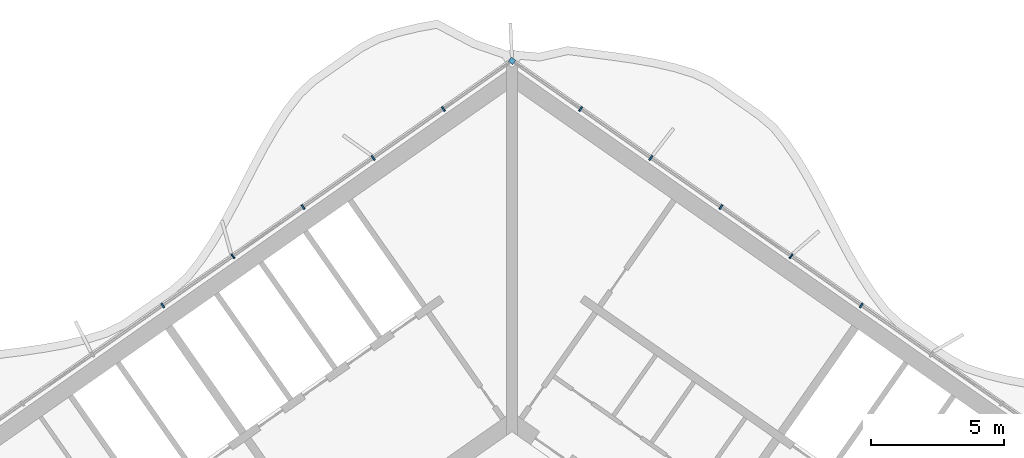
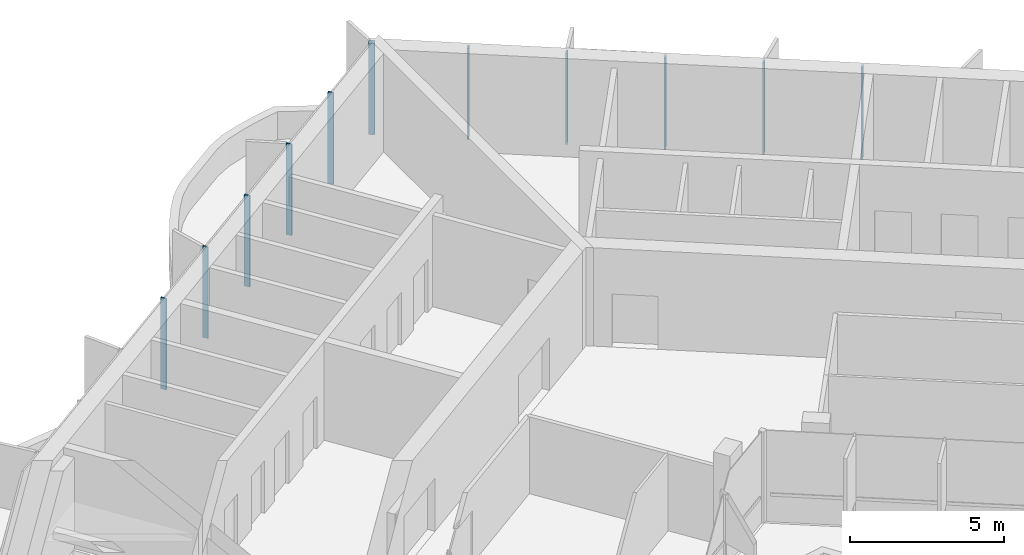
# One storey, part 7 of 20: 11 members, 1 element without a shape of its own.
"""IFC4 building model written with IfcOpenShell, lengths in metres."""

import ifcopenshell
import ifcopenshell.guid

model = None  # the IFC model being written
_history = None  # IfcOwnerHistory: only IFC2X3 demands one
_inside = {}  # id of a spatial element -> (the spatial element, [elements in it])
_under = {}  # id of a project, library or spatial element -> (it, [spatial elements below it])
_declared = {}  # id of a project -> (the project, [libraries it declares])
_typed = {}  # id of a type object -> (the type object, [elements of that type])
_made_of = {}  # id of a material, layer set ... -> (it, [elements and type objects made of it])


def new_model(schema):
    """Start an empty IFC model of exactly this schema.

    Asked for "IFC4X3", IfcOpenShell would pick the latest addendum, in which some entities
    have other attributes; the version numbers below select the first issue.
    IFC2X3 requires an IfcOwnerHistory on every rooted entity: one is made here for all.
    """
    global model, _history
    if schema == "IFC4X3":
        model = ifcopenshell.file(schema_version=(4, 3, 0, 0))
    else:
        model = ifcopenshell.file(schema=schema)
    _inside.clear()
    _under.clear()
    _declared.clear()
    _typed.clear()
    _made_of.clear()
    _history = None
    if model.schema == "IFC2X3":
        org = make("IfcOrganization", Name="unknown")
        user = make(
            "IfcPersonAndOrganization",
            ThePerson=make("IfcPerson", FamilyName="unknown"),
            TheOrganization=org,
        )
        app = make(
            "IfcApplication",
            ApplicationDeveloper=org,
            Version="unknown",
            ApplicationFullName="unknown",
            ApplicationIdentifier="unknown",
        )
        _history = make(
            "IfcOwnerHistory",
            OwningUser=user,
            OwningApplication=app,
            ChangeAction="ADDED",
            CreationDate=0,
        )
    return model


def make(cls, **values):
    """One entity of the class cls with the attributes given. An attribute that is None is left unset."""
    return model.create_entity(
        cls, **{name: value for name, value in values.items() if value is not None}
    )


def rooted(cls, **values):
    """An entity with a GlobalId (a new one), such as an element, a storey or a relation."""
    return make(cls, GlobalId=ifcopenshell.guid.new(), OwnerHistory=_history, **values)


def si_unit(unit_type, name, prefix=None):
    """IfcSIUnit, for example si_unit("LENGTHUNIT", "METRE", prefix="MILLI")."""
    return make("IfcSIUnit", UnitType=unit_type, Prefix=prefix, Name=name)


def assignment(units):
    """IfcUnitAssignment: the units of a project."""
    return None if units is None else make("IfcUnitAssignment", Units=units)


def point(xyz):
    """IfcCartesianPoint."""
    return None if xyz is None else make("IfcCartesianPoint", Coordinates=xyz)


def direction(xyz):
    """IfcDirection."""
    return None if xyz is None else make("IfcDirection", DirectionRatios=xyz)


def frame(location, z_axis=None, x_axis=None):
    """IfcAxis2Placement3D, a coordinate frame: its origin and axes. An axis left out is left unset."""
    return make(
        "IfcAxis2Placement3D",
        Location=point(location),
        Axis=direction(z_axis),
        RefDirection=direction(x_axis),
    )


def frame_2d(location, x_axis=None):
    """IfcAxis2Placement2D, a coordinate frame in the plane: its origin and x axis."""
    return make(
        "IfcAxis2Placement2D", Location=point(location), RefDirection=direction(x_axis)
    )


def origin():
    """The frame at (0, 0, 0) with its axes left unset."""
    return frame((0.0, 0.0, 0.0))


def origin_2d():
    """The frame at (0, 0) in the plane with its x axis left unset."""
    return frame_2d((0.0, 0.0))


def place(relative_to, where):
    """IfcLocalPlacement: puts the frame where relative to a parent placement (None: the world)."""
    return make(
        "IfcLocalPlacement", PlacementRelTo=relative_to, RelativePlacement=where
    )


def context(
    kind, dimensions, precision=None, world=None, true_north=None, identifier=None
):
    """IfcGeometricRepresentationContext, for example the 3D "Model" context."""
    return make(
        "IfcGeometricRepresentationContext",
        ContextIdentifier=identifier,
        ContextType=kind,
        CoordinateSpaceDimension=dimensions,
        Precision=precision,
        WorldCoordinateSystem=world,
        TrueNorth=true_north,
    )


def subcontext(parent, identifier, kind, view, scale=None):
    """IfcGeometricRepresentationSubContext, for example "Body" below "Model"."""
    return make(
        "IfcGeometricRepresentationSubContext",
        ContextIdentifier=identifier,
        ContextType=kind,
        ParentContext=parent,
        TargetScale=scale,
        TargetView=view,
    )


def project(units=None, contexts=None):
    """IfcProject with its units and contexts."""
    return rooted(
        "IfcProject",
        Name="project",
        RepresentationContexts=contexts,
        UnitsInContext=assignment(units),
    )


def spatial(cls, under=None, at=None, **own):
    """A site, building, storey or space (cls), placed at a placement, below another one or the project."""
    s = rooted(cls, ObjectPlacement=at, **own)
    if under is not None:
        _under.setdefault(under.id(), (under, []))[1].append(s)
    return s


def profile(cls, at=None, kind="AREA", **sizes):
    """A parametric profile (cls). Its sizes go by their IFC names, for example OverallWidth=200.0."""
    return make(cls, ProfileType=kind, Position=at, **sizes)


def rectangle(**sizes):
    """IfcRectangleProfileDef."""
    return profile("IfcRectangleProfileDef", **sizes)


def extrude(swept, where, along, depth):
    """IfcExtrudedAreaSolid: the profile swept, set in the frame where, extruded along a direction by depth."""
    return make(
        "IfcExtrudedAreaSolid",
        SweptArea=swept,
        Position=where,
        ExtrudedDirection=direction(along),
        Depth=depth,
    )


def shape(context_of_items, identifier, shape_type, items):
    """IfcShapeRepresentation: the items that make up one representation, for example the "Body"."""
    return make(
        "IfcShapeRepresentation",
        ContextOfItems=context_of_items,
        RepresentationIdentifier=identifier,
        RepresentationType=shape_type,
        Items=items,
    )


def material(Name=None, Category=None):
    """IfcMaterial."""
    return make("IfcMaterial", Name=Name, Category=Category)


def material_profile(
    of_material, cross_section, Name=None, Category=None, Priority=None
):
    """IfcMaterialProfile: a cross section and its material."""
    return make(
        "IfcMaterialProfile",
        Name=Name,
        Material=of_material,
        Profile=cross_section,
        Priority=Priority,
        Category=Category,
    )


def profile_set(profiles, Name=None, composite=None):
    """IfcMaterialProfileSet."""
    return make(
        "IfcMaterialProfileSet",
        Name=Name,
        MaterialProfiles=profiles,
        CompositeProfile=composite,
    )


def made_of(thing, what):
    """Note that an element or type object is made of a material, layer set ...; save() writes the relation."""
    if what is not None:
        _made_of.setdefault(what.id(), (what, []))[1].append(thing)
    return thing


def type_object(cls, material=None, **own):
    """A type object (cls), such as IfcWallType, which elements share."""
    return made_of(rooted(cls, **own), material)


def element(
    cls,
    number,
    at=None,
    inside=None,
    cuts=None,
    type_object=None,
    material=None,
    context=None,
    identifier="Body",
    shape_type=None,
    held_by="IfcProductDefinitionShape",
    body=None,
    shapes=None,
    **own,
):
    """One element of the class cls, such as IfcWall. Its Tag is "e" and its number.

    at: its placement. inside: the storey or other place that contains it. cuts: it is an
    opening in that element (IfcRelVoidsElement). A single representation is given by context,
    identifier, shape_type and body (its items); several are given by shapes. held_by: the class
    of the entity that holds the representations. save() writes the other relations.
    """
    e = rooted(cls, Tag="e%d" % number, ObjectPlacement=at, **own)
    if body is not None:
        shapes = [shape(context, identifier, shape_type, body)]
    if shapes is not None:
        e.Representation = make(held_by, Representations=shapes)
    if inside is not None:
        _inside.setdefault(inside.id(), (inside, []))[1].append(e)
    if cuts is not None:
        rooted(
            "IfcRelVoidsElement", RelatingBuildingElement=cuts, RelatedOpeningElement=e
        )
    if type_object is not None:
        _typed.setdefault(type_object.id(), (type_object, []))[1].append(e)
    return made_of(e, material)


def aggregate(whole, parts):
    """IfcRelAggregates: a whole, such as a stair, and the parts it consists of."""
    return rooted("IfcRelAggregates", RelatingObject=whole, RelatedObjects=parts)


def save(model, path):
    """Write the relations noted so far, then the file.

    IfcRelAggregates (storeys below a building ...), IfcRelContainedInSpatialStructure (elements
    in a storey), IfcRelDefinesByType, IfcRelAssociatesMaterial and IfcRelDeclares: one each for
    every whole, place, type object, material and project.
    """
    for whole, parts in _under.values():
        aggregate(whole, parts)
    for where, things in _inside.values():
        rooted(
            "IfcRelContainedInSpatialStructure",
            RelatedElements=things,
            RelatingStructure=where,
        )
    for kind, things in _typed.values():
        rooted("IfcRelDefinesByType", RelatedObjects=things, RelatingType=kind)
    for what, things in _made_of.values():
        rooted("IfcRelAssociatesMaterial", RelatedObjects=things, RelatingMaterial=what)
    for by, libraries in _declared.values():
        rooted("IfcRelDeclares", RelatingContext=by, RelatedDefinitions=libraries)
    model.write(path)


model = new_model("IFC4")

# Units and contexts
model_context = context("Model", 3, precision=1e-05, world=origin(), true_north=direction((0.0, 1.0)))
body_context = subcontext(model_context, "Body", "Model", "MODEL_VIEW")
ifc_project = project(units=[si_unit("LENGTHUNIT", "METRE"), si_unit("AREAUNIT", "SQUARE_METRE"), si_unit("VOLUMEUNIT", "CUBIC_METRE"), si_unit("PLANEANGLEUNIT", "RADIAN"), si_unit("MASSUNIT", "GRAM", prefix="KILO")], contexts=[model_context])

# Site, building, storey
site_placement = place(None, origin())
site = spatial("IfcSite", under=ifc_project, at=site_placement, CompositionType="ELEMENT")
building_placement = place(site_placement, origin())
building = spatial("IfcBuilding", under=site, at=building_placement, Name="Tel Ilan Convention Tower", CompositionType="ELEMENT")
storey_placement = place(building_placement, frame((0.0, 0.0, 248.800048828125)))
storey = spatial("IfcBuildingStorey", under=building, at=storey_placement, Name="L58", CompositionType="ELEMENT", Elevation=248.800048828125)

# Curtain wall, members
ifc_material_1 = material(Name="Aluminium, bronze anodised", Category="aluminium")
curtain_wall_type = type_object("IfcCurtainWallType", Name="CW2 STICK CURTAIN WALL, SPANDREL PANELS", PredefinedType="NOTDEFINED", material=ifc_material_1)
curtain_wall_placement = place(storey_placement, origin())
curtain_wall = element("IfcCurtainWall", 1, at=curtain_wall_placement, inside=storey, type_object=curtain_wall_type, Name="Curtain wall CW2-45.02", PredefinedType="NOTDEFINED")
ifc_material_2 = material(Name="Aluminium, bronze anodised", Category="aluminium")
ifc_material_profile_1 = material_profile(ifc_material_2, rectangle(XDim=0.199951171875, YDim=0.199951171875, at=origin_2d()), Name="CW CORNER MULLION 200x200")
ifc_profile_set_1 = profile_set([ifc_material_profile_1], Name="Aluminium, bronze anodised")
member_type_1 = type_object("IfcMemberType", Name="CW CORNER MULLION 200x200", PredefinedType="MULLION", material=ifc_profile_set_1)
member_1_placement = place(storey_placement, frame((0.0, 12.696044921875, 0.0), z_axis=(0.0, 0.0, 1.0), x_axis=(-0.819152044289, 0.573576436351, 0.0)))
member_1 = element("IfcMember", 2, at=member_1_placement, type_object=member_type_1, Name="Corner mullion", PredefinedType="MULLION", context=body_context, shape_type="SweptSolid", body=[
    extrude(rectangle(XDim=0.199951171875, YDim=0.199951171875, at=origin_2d()), origin(), (0.0, 0.0, 1.0), 3.619873046875),
])
ifc_material_3 = material(Name="Aluminium, bronze anodised", Category="aluminium")
ifc_material_profile_2 = material_profile(ifc_material_3, rectangle(XDim=0.06005859375, YDim=0.199951171875, at=origin_2d()), Name="CW MULLION 60x200")
ifc_profile_set_2 = profile_set([ifc_material_profile_2], Name="Aluminium, bronze anodised")
member_type_2 = type_object("IfcMemberType", Name="CW MULLION 60x200", PredefinedType="MULLION", material=ifc_profile_set_2)
member_2_placement = place(storey_placement, frame((13.105712890625, 3.519287109375, 0.0), z_axis=(0.0, 0.0, 1.0), x_axis=(-0.819152044289, 0.573576436351, 0.0)))
member_2 = element("IfcMember", 3, at=member_2_placement, type_object=member_type_2, Name="Mullion", PredefinedType="MULLION", context=body_context, shape_type="SweptSolid", body=[
    extrude(rectangle(XDim=0.06005859375, YDim=0.199951171875, at=origin_2d()), origin(), (0.0, 0.0, 1.0), 3.619873046875),
])
member_3_placement = place(storey_placement, frame((10.47314453125, 5.36279296875, 0.0), z_axis=(0.0, 0.0, 1.0), x_axis=(-0.819152044289, 0.573576436351, 0.0)))
member_3 = element("IfcMember", 4, at=member_3_placement, type_object=member_type_2, Name="Mullion", PredefinedType="MULLION", context=body_context, shape_type="SweptSolid", body=[
    extrude(rectangle(XDim=0.06005859375, YDim=0.199951171875, at=origin_2d()), origin(), (0.0, 0.0, 1.0), 3.619873046875),
])
member_4_placement = place(storey_placement, frame((7.840576171875, 7.2060546875, 0.0), z_axis=(0.0, 0.0, 1.0), x_axis=(-0.819152044289, 0.573576436351, 0.0)))
member_4 = element("IfcMember", 5, at=member_4_placement, type_object=member_type_2, Name="Mullion", PredefinedType="MULLION", context=body_context, shape_type="SweptSolid", body=[
    extrude(rectangle(XDim=0.06005859375, YDim=0.199951171875, at=origin_2d()), origin(), (0.0, 0.0, 1.0), 3.619873046875),
])
member_5_placement = place(storey_placement, frame((5.207763671875, 9.049560546875, 0.0), z_axis=(0.0, 0.0, 1.0), x_axis=(-0.819152044289, 0.573576436351, 0.0)))
member_5 = element("IfcMember", 6, at=member_5_placement, type_object=member_type_2, Name="Mullion", PredefinedType="MULLION", context=body_context, shape_type="SweptSolid", body=[
    extrude(rectangle(XDim=0.06005859375, YDim=0.199951171875, at=origin_2d()), origin(), (0.0, 0.0, 1.0), 3.619873046875),
])
member_6_placement = place(storey_placement, frame((2.5751953125, 10.892822265625, 0.0), z_axis=(0.0, 0.0, 1.0), x_axis=(-0.819152044289, 0.573576436351, 0.0)))
member_6 = element("IfcMember", 7, at=member_6_placement, type_object=member_type_2, Name="Mullion", PredefinedType="MULLION", context=body_context, shape_type="SweptSolid", body=[
    extrude(rectangle(XDim=0.06005859375, YDim=0.199951171875, at=origin_2d()), origin(), (0.0, 0.0, 1.0), 3.619873046875),
])
member_7_placement = place(storey_placement, frame((-2.5751953125, 10.892822265625, 0.0), z_axis=(0.0, 0.0, 1.0), x_axis=(-0.819152044289, -0.573576436351, 0.0)))
member_7 = element("IfcMember", 8, at=member_7_placement, type_object=member_type_2, Name="Mullion", PredefinedType="MULLION", context=body_context, shape_type="SweptSolid", body=[
    extrude(rectangle(XDim=0.06005859375, YDim=0.199951171875, at=origin_2d()), origin(), (0.0, 0.0, 1.0), 3.619873046875),
])
member_8_placement = place(storey_placement, frame((-5.207763671875, 9.049560546875, 0.0), z_axis=(0.0, 0.0, 1.0), x_axis=(-0.819152044289, -0.573576436351, 0.0)))
member_8 = element("IfcMember", 9, at=member_8_placement, type_object=member_type_2, Name="Mullion", PredefinedType="MULLION", context=body_context, shape_type="SweptSolid", body=[
    extrude(rectangle(XDim=0.06005859375, YDim=0.199951171875, at=origin_2d()), origin(), (0.0, 0.0, 1.0), 3.619873046875),
])
member_9_placement = place(storey_placement, frame((-7.840576171875, 7.2060546875, 0.0), z_axis=(0.0, 0.0, 1.0), x_axis=(-0.819152044289, -0.573576436351, 0.0)))
member_9 = element("IfcMember", 10, at=member_9_placement, type_object=member_type_2, Name="Mullion", PredefinedType="MULLION", context=body_context, shape_type="SweptSolid", body=[
    extrude(rectangle(XDim=0.06005859375, YDim=0.199951171875, at=origin_2d()), origin(), (0.0, 0.0, 1.0), 3.619873046875),
])
member_10_placement = place(storey_placement, frame((-10.47314453125, 5.36279296875, 0.0), z_axis=(0.0, 0.0, 1.0), x_axis=(-0.819152044289, -0.573576436351, 0.0)))
member_10 = element("IfcMember", 11, at=member_10_placement, type_object=member_type_2, Name="Mullion", PredefinedType="MULLION", context=body_context, shape_type="SweptSolid", body=[
    extrude(rectangle(XDim=0.06005859375, YDim=0.199951171875, at=origin_2d()), origin(), (0.0, 0.0, 1.0), 3.619873046875),
])
member_11_placement = place(storey_placement, frame((-13.105712890625, 3.519287109375, 0.0), z_axis=(0.0, 0.0, 1.0), x_axis=(-0.819152044289, -0.573576436351, 0.0)))
member_11 = element("IfcMember", 12, at=member_11_placement, type_object=member_type_2, Name="Mullion", PredefinedType="MULLION", context=body_context, shape_type="SweptSolid", body=[
    extrude(rectangle(XDim=0.06005859375, YDim=0.199951171875, at=origin_2d()), origin(), (0.0, 0.0, 1.0), 3.619873046875),
])
aggregate(curtain_wall, [member_2, member_3, member_4, member_5, member_6, member_1, member_7, member_8, member_9, member_10, member_11])

save(model, "model.ifc")
